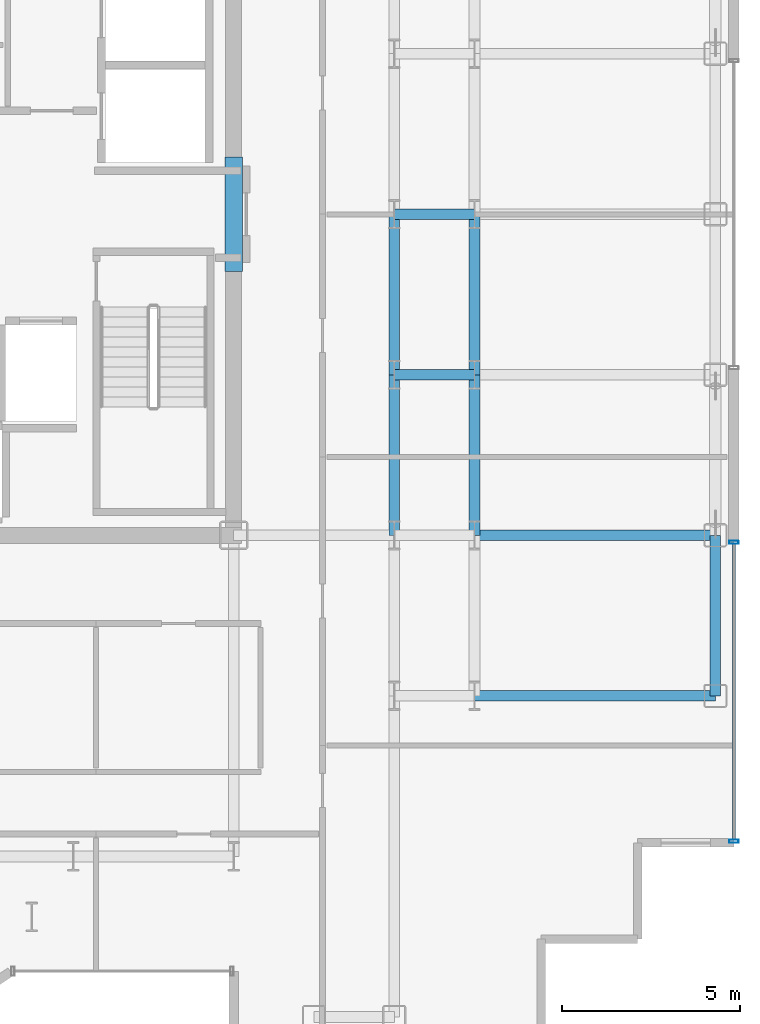
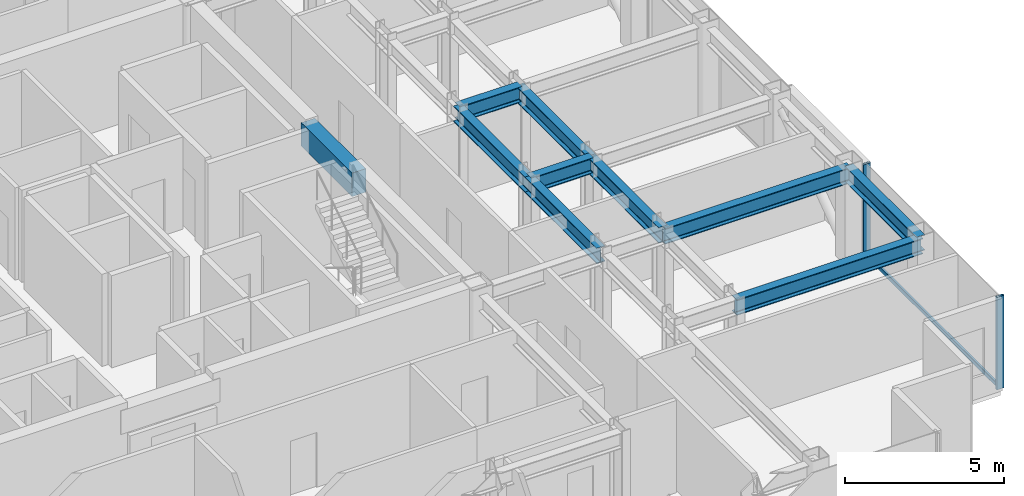
# One storey, part 6 of 21: 10 beams, 3 members, 1 element without a shape of its own.
"""IFC4 building model written with IfcOpenShell, lengths in metres."""

from ifc_helpers import new_model, si_unit, direction, frame, origin, origin_2d, place, context, subcontext, project, spatial, rectangle, hollow_rectangle, i_section, extrude, source, transform, mapped, material, layer, layer_set, material_profile, profile_set, type_object, element, aggregate, save


model = new_model("IFC4")

# Units and contexts
model_context = context("Model", 3, precision=1e-05, world=origin(), true_north=direction((0.0, 1.0)))
body_context = subcontext(model_context, "Body", "Model", "MODEL_VIEW")
ifc_project = project(units=[si_unit("LENGTHUNIT", "METRE"), si_unit("AREAUNIT", "SQUARE_METRE"), si_unit("VOLUMEUNIT", "CUBIC_METRE"), si_unit("PLANEANGLEUNIT", "RADIAN"), si_unit("MASSUNIT", "GRAM", prefix="KILO")], contexts=[model_context])

# Site, building, storey
site_placement = place(None, origin())
site = spatial("IfcSite", under=ifc_project, at=site_placement, CompositionType="ELEMENT")
building_placement = place(site_placement, origin())
building = spatial("IfcBuilding", under=site, at=building_placement, Name="Nefas-Gora Pilgrimage Tower", CompositionType="ELEMENT")
storey_placement = place(building_placement, frame((0.0, 0.0, 206.60009765625)))
storey = spatial("IfcBuildingStorey", under=building, at=storey_placement, Name="L51", CompositionType="ELEMENT", Elevation=206.60009765625)

# Beams
ifc_material_1 = material(Name="Concrete C50/60", Category="concrete")
ifc_material_profile_1 = material_profile(ifc_material_1, rectangle(XDim=0.5, YDim=0.89990234375, at=origin_2d()), Name="RC 500x900")
ifc_profile_set_1 = profile_set([ifc_material_profile_1], Name="Concrete C50/60")
beam_type_1 = type_object("IfcBeamType", Name="BM-LIN-RC900", PredefinedType="LINTEL", material=ifc_profile_set_1)
shared_shape_1 = source(origin(), body_context, "Body", "SweptSolid", [
    extrude(rectangle(XDim=0.5, YDim=0.89990234375, at=origin_2d()), origin(), (0.0, 0.0, 1.0), 3.2001953125),
])
beam_1_placement = place(storey_placement, frame((11.25, -1.60009765625, 3.099853515625), z_axis=(0.0, 1.0, 0.0), x_axis=(-1.0, 0.0, 0.0)))
element("IfcBeam", 1, at=beam_1_placement, inside=storey, type_object=beam_type_1, Name="L51 Core Coupling Lintel Beam E", PredefinedType="LINTEL", context=body_context, shape_type="MappedRepresentation", body=[
    mapped(shared_shape_1, transform((0.0, 0.0, 0.0), x_axis=(1.0, 0.0, 0.0), y_axis=(0.0, 1.0, 0.0), z_axis=(0.0, 0.0, 1.0), scale=1.0)),
])
ifc_material_2 = material(Name="Steel S355", Category="steel")
ifc_material_profile_2 = material_profile(ifc_material_2, i_section(OverallWidth=0.300048828125, OverallDepth=0.60009765625, WebThickness=0.015380859375, FlangeThickness=0.030029296875, FilletRadius=0.027099609375, at=origin_2d()), Name="HEB 600")
ifc_profile_set_2 = profile_set([ifc_material_profile_2], Name="Steel S355")
beam_type_2 = type_object("IfcBeamType", Name="BM-SPN-HEB450", PredefinedType="SPANDREL", material=ifc_profile_set_2)
shared_shape_2 = source(origin(), body_context, "Body", "SweptSolid", [
    extrude(i_section(OverallWidth=0.300048828125, OverallDepth=0.60009765625, WebThickness=0.015380859375, FlangeThickness=0.030029296875, FilletRadius=0.027099609375, at=origin_2d()), origin(), (0.0, 0.0, 1.0), 4.5),
])
beam_2_placement = place(storey_placement, frame((24.75, -13.5, 3.25), z_axis=(0.0, 1.0, 0.0), x_axis=(-1.0, 0.0, 0.0)))
element("IfcBeam", 2, at=beam_2_placement, inside=storey, type_object=beam_type_2, Name="L51 SP-03 beam", PredefinedType="SPANDREL", context=body_context, shape_type="MappedRepresentation", body=[
    mapped(shared_shape_2, transform((0.0, 0.0, 0.0), x_axis=(1.0, 0.0, 0.0), y_axis=(0.0, 1.0, 0.0), z_axis=(0.0, 0.0, 1.0), scale=1.0)),
])
ifc_material_profile_3 = material_profile(ifc_material_2, i_section(OverallWidth=0.300048828125, OverallDepth=0.60009765625, WebThickness=0.015380859375, FlangeThickness=0.030029296875, FilletRadius=0.027099609375, at=origin_2d()), Name="HEB 600")
ifc_profile_set_3 = profile_set([ifc_material_profile_3], Name="Steel S355")
beam_type_3 = type_object("IfcBeamType", Name="BM-GIR-HEB600", PredefinedType="BEAM", material=ifc_profile_set_3)
shared_shape_3 = source(origin(), body_context, "Body", "SweptSolid", [
    extrude(i_section(OverallWidth=0.300048828125, OverallDepth=0.60009765625, WebThickness=0.015380859375, FlangeThickness=0.030029296875, FilletRadius=0.027099609375, at=origin_2d()), origin(), (0.0, 0.0, 1.0), 4.5),
])
for number, where, z_axis, x_axis, name in (
    (3, (15.75, -9.0, 3.25), (0.0, 1.0, 0.0), (-1.0, 0.0, 0.0), "L51 G-04 beam"),
    (4, (15.75, -4.5, 3.25), (0.0, 1.0, 0.0), (-1.0, 0.0, 0.0), "L51 G-04 beam"),
    (5, (18.0, -9.0, 3.25), (0.0, 1.0, 0.0), (-1.0, 0.0, 0.0), "L51 G-04 beam"),
    (6, (18.0, -4.5, 3.25), (0.0, 1.0, 0.0), (-1.0, 0.0, 0.0), "L51 G-04 beam"),
):
    element("IfcBeam", number, at=place(storey_placement, frame(where, z_axis=z_axis, x_axis=x_axis)), inside=storey, type_object=beam_type_3, Name=name, PredefinedType="BEAM", context=body_context, shape_type="MappedRepresentation", body=[
        mapped(shared_shape_3, transform((0.0, 0.0, 0.0), x_axis=(1.0, 0.0, 0.0), y_axis=(0.0, 1.0, 0.0), z_axis=(0.0, 0.0, 1.0), scale=1.0)),
    ])
shared_shape_4 = source(origin(), body_context, "Body", "SweptSolid", [
    extrude(i_section(OverallWidth=0.300048828125, OverallDepth=0.60009765625, WebThickness=0.015380859375, FlangeThickness=0.030029296875, FilletRadius=0.027099609375, at=origin_2d()), origin(), (0.0, 0.0, 1.0), 6.75),
])
for number, where, z_axis, x_axis, name in (
    (7, (18.0, -13.5, 3.25), (1.0, 0.0, 0.0), (0.0, 1.0, 0.0), "L51 G-04 beam"),
    (8, (18.0, -9.0, 3.25), (1.0, 0.0, 0.0), (0.0, 1.0, 0.0), "L51 G-04 beam"),
):
    element("IfcBeam", number, at=place(storey_placement, frame(where, z_axis=z_axis, x_axis=x_axis)), inside=storey, type_object=beam_type_3, Name=name, PredefinedType="BEAM", context=body_context, shape_type="MappedRepresentation", body=[
        mapped(shared_shape_4, transform((0.0, 0.0, 0.0), x_axis=(1.0, 0.0, 0.0), y_axis=(0.0, 1.0, 0.0), z_axis=(0.0, 0.0, 1.0), scale=1.0)),
    ])
shared_shape_5 = source(origin(), body_context, "Body", "SweptSolid", [
    extrude(i_section(OverallWidth=0.300048828125, OverallDepth=0.60009765625, WebThickness=0.015380859375, FlangeThickness=0.030029296875, FilletRadius=0.027099609375, at=origin_2d()), origin(), (0.0, 0.0, 1.0), 2.25),
])
for number, where, z_axis, x_axis, name in (
    (9, (15.75, -4.5, 3.25), (1.0, 0.0, 0.0), (0.0, 1.0, 0.0), "L51 G-04 beam"),
    (10, (15.75, 0.0, 3.25), (1.0, 0.0, 0.0), (0.0, 1.0, 0.0), "L51 G-04 beam"),
):
    element("IfcBeam", number, at=place(storey_placement, frame(where, z_axis=z_axis, x_axis=x_axis)), inside=storey, type_object=beam_type_3, Name=name, PredefinedType="BEAM", context=body_context, shape_type="MappedRepresentation", body=[
        mapped(shared_shape_5, transform((0.0, 0.0, 0.0), x_axis=(1.0, 0.0, 0.0), y_axis=(0.0, 1.0, 0.0), z_axis=(0.0, 0.0, 1.0), scale=1.0)),
    ])

# Curtain wall, members
ifc_material_3 = material(Name="Dark ceramic-fritted solar-control aluminium-glass curtain wall", Category="aluminium")
ifc_layer = layer(ifc_material_3, 0.219970703125)
ifc_layer_set = layer_set([ifc_layer], Name="Dark ceramic-fritted solar-control aluminium-glass curtain wall")
curtain_wall_type = type_object("IfcCurtainWallType", Name="CW-SYS-3", PredefinedType="NOTDEFINED", material=ifc_layer_set)
curtain_wall_placement = place(storey_placement, origin())
curtain_wall = element("IfcCurtainWall", 11, at=curtain_wall_placement, inside=storey, type_object=curtain_wall_type, Name="L51 Unitised Curtain Wall CW3", PredefinedType="NOTDEFINED")
ifc_material_4 = material(Name="Anodised architectural aluminium", Category="aluminium")
ifc_material_profile_4 = material_profile(ifc_material_4, hollow_rectangle(XDim=0.080078125, YDim=0.159912109375, WallThickness=0.00439453125, InnerFilletRadius=0.00439453125, OuterFilletRadius=0.009033203125, at=origin_2d()), Name="ALU TRANSOM 80x160")
ifc_profile_set_4 = profile_set([ifc_material_profile_4], Name="Anodised architectural aluminium")
member_type_1 = type_object("IfcMemberType", Name="CWM-TRN-3", PredefinedType="USERDEFINED", material=ifc_profile_set_4)
shared_shape_6 = source(origin(), body_context, "Body", "SweptSolid", [
    extrude(hollow_rectangle(XDim=0.080078125, YDim=0.159912109375, WallThickness=0.00439453125, InnerFilletRadius=0.00439453125, OuterFilletRadius=0.009033203125, at=origin_2d()), origin(), (0.0, 0.0, 1.0), 8.2900390625),
])
member_1_placement = place(storey_placement, frame((25.27001953125, -17.530029296875, 0.0498046875), z_axis=(0.0, 1.0, 0.0), x_axis=(-1.0, 0.0, 0.0)))
member_1 = element("IfcMember", 12, at=member_1_placement, type_object=member_type_1, Name="CW3 Spandrel Transom", ObjectType="TRANSOM", PredefinedType="USERDEFINED", context=body_context, shape_type="MappedRepresentation", body=[
    mapped(shared_shape_6, transform((0.0, 0.0, 0.0), x_axis=(1.0, 0.0, 0.0), y_axis=(0.0, 1.0, 0.0), z_axis=(0.0, 0.0, 1.0), scale=1.0)),
])
ifc_material_profile_5 = material_profile(ifc_material_4, hollow_rectangle(XDim=0.090087890625, YDim=0.260009765625, WallThickness=0.006103515625, InnerFilletRadius=0.006103515625, OuterFilletRadius=0.011962890625, at=origin_2d()), Name="ALU MULLION 90x260")
ifc_profile_set_5 = profile_set([ifc_material_profile_5], Name="Anodised architectural aluminium")
member_type_2 = type_object("IfcMemberType", Name="CWM-MUL-3", PredefinedType="MULLION", material=ifc_profile_set_5)
shared_shape_7 = source(origin(), body_context, "Body", "SweptSolid", [
    extrude(hollow_rectangle(XDim=0.090087890625, YDim=0.260009765625, WallThickness=0.006103515625, InnerFilletRadius=0.006103515625, OuterFilletRadius=0.011962890625, at=origin_2d()), origin(), (0.0, 0.0, 1.0), 3.5498046875),
])
member_2_placement = place(storey_placement, frame((25.27001953125, -17.574951171875, 0.0), z_axis=(0.0, 0.0, 1.0), x_axis=(0.0, 1.0, 0.0)))
member_2 = element("IfcMember", 13, at=member_2_placement, type_object=member_type_2, Name="CW3 Mullion 1", PredefinedType="MULLION", context=body_context, shape_type="MappedRepresentation", body=[
    mapped(shared_shape_7, transform((0.0, 0.0, 0.0), x_axis=(1.0, 0.0, 0.0), y_axis=(0.0, 1.0, 0.0), z_axis=(0.0, 0.0, 1.0), scale=1.0)),
])
member_3_placement = place(storey_placement, frame((25.27001953125, -9.195068359375, 0.0), z_axis=(0.0, 0.0, 1.0), x_axis=(0.0, 1.0, 0.0)))
member_3 = element("IfcMember", 14, at=member_3_placement, type_object=member_type_2, Name="CW3 Mullion 2", PredefinedType="MULLION", context=body_context, shape_type="MappedRepresentation", body=[
    mapped(shared_shape_7, transform((0.0, 0.0, 0.0), x_axis=(1.0, 0.0, 0.0), y_axis=(0.0, 1.0, 0.0), z_axis=(0.0, 0.0, 1.0), scale=1.0)),
])
aggregate(curtain_wall, [member_2, member_3, member_1])

save(model, "model.ifc")
